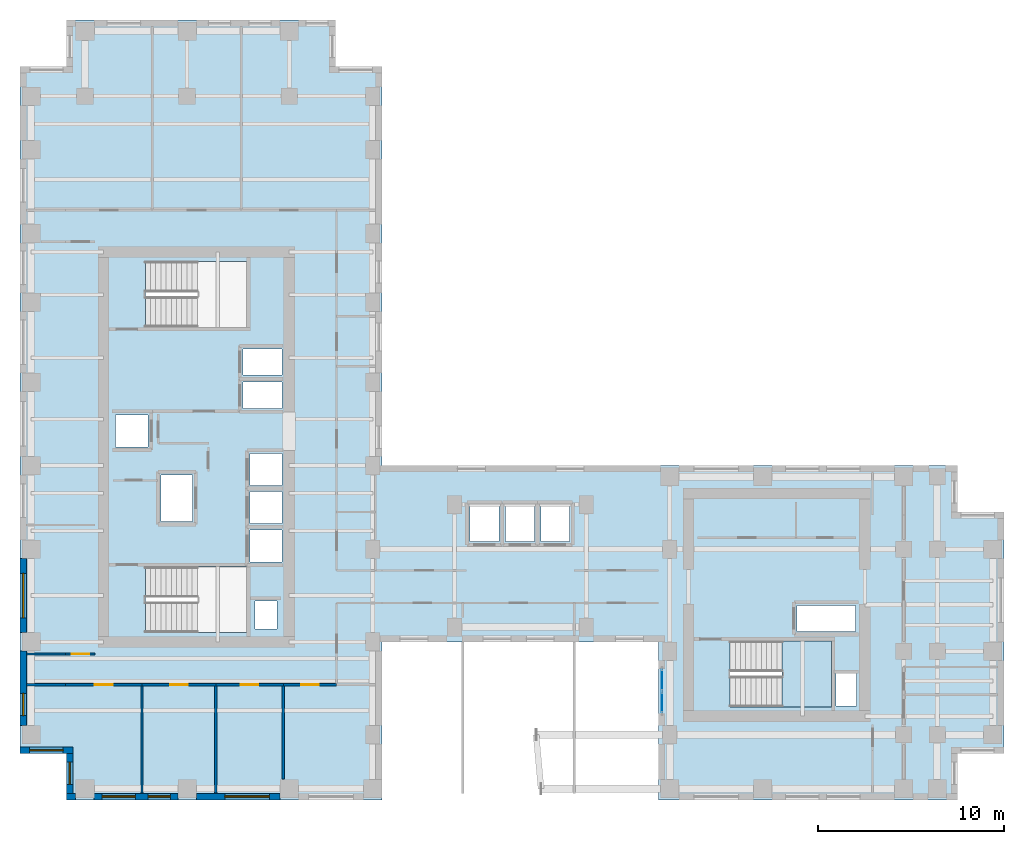
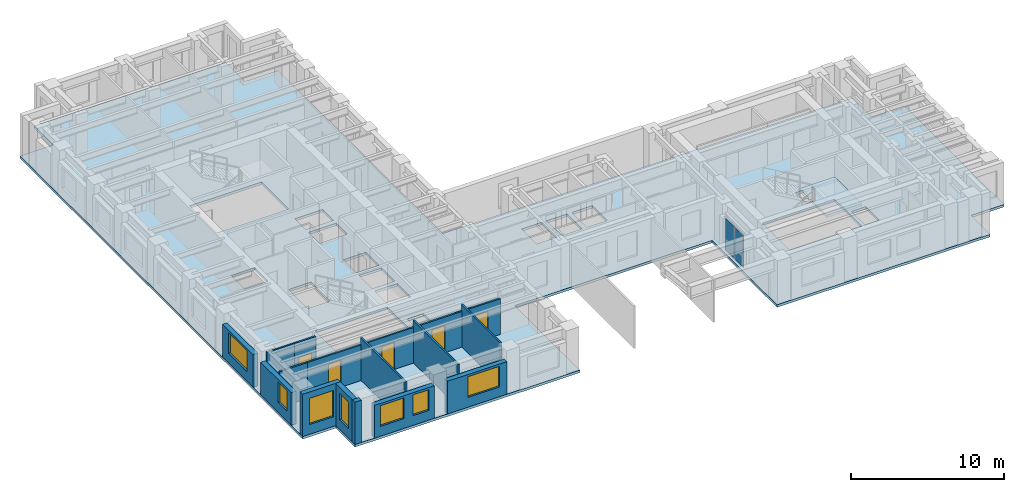
# One storey, part 5 of 13: 17 walls, 7 windows, 5 doors, 2 plates, 2 slabs, 12 openings, 2 elements without a shape of their own.
"""IFC4 building model written with IfcOpenShell, lengths in metres."""

import ifcopenshell
import ifcopenshell.guid

model = None  # the IFC model being written
_history = None  # IfcOwnerHistory: only IFC2X3 demands one
_inside = {}  # id of a spatial element -> (the spatial element, [elements in it])
_under = {}  # id of a project, library or spatial element -> (it, [spatial elements below it])
_declared = {}  # id of a project -> (the project, [libraries it declares])
_typed = {}  # id of a type object -> (the type object, [elements of that type])
_made_of = {}  # id of a material, layer set ... -> (it, [elements and type objects made of it])


def new_model(schema):
    """Start an empty IFC model of exactly this schema.

    Asked for "IFC4X3", IfcOpenShell would pick the latest addendum, in which some entities
    have other attributes; the version numbers below select the first issue.
    IFC2X3 requires an IfcOwnerHistory on every rooted entity: one is made here for all.
    """
    global model, _history
    if schema == "IFC4X3":
        model = ifcopenshell.file(schema_version=(4, 3, 0, 0))
    else:
        model = ifcopenshell.file(schema=schema)
    _inside.clear()
    _under.clear()
    _declared.clear()
    _typed.clear()
    _made_of.clear()
    _history = None
    if model.schema == "IFC2X3":
        org = make("IfcOrganization", Name="unknown")
        user = make(
            "IfcPersonAndOrganization",
            ThePerson=make("IfcPerson", FamilyName="unknown"),
            TheOrganization=org,
        )
        app = make(
            "IfcApplication",
            ApplicationDeveloper=org,
            Version="unknown",
            ApplicationFullName="unknown",
            ApplicationIdentifier="unknown",
        )
        _history = make(
            "IfcOwnerHistory",
            OwningUser=user,
            OwningApplication=app,
            ChangeAction="ADDED",
            CreationDate=0,
        )
    return model


def make(cls, **values):
    """One entity of the class cls with the attributes given. An attribute that is None is left unset."""
    return model.create_entity(
        cls, **{name: value for name, value in values.items() if value is not None}
    )


def rooted(cls, **values):
    """An entity with a GlobalId (a new one), such as an element, a storey or a relation."""
    return make(cls, GlobalId=ifcopenshell.guid.new(), OwnerHistory=_history, **values)


def si_unit(unit_type, name, prefix=None):
    """IfcSIUnit, for example si_unit("LENGTHUNIT", "METRE", prefix="MILLI")."""
    return make("IfcSIUnit", UnitType=unit_type, Prefix=prefix, Name=name)


def assignment(units):
    """IfcUnitAssignment: the units of a project."""
    return None if units is None else make("IfcUnitAssignment", Units=units)


def point(xyz):
    """IfcCartesianPoint."""
    return None if xyz is None else make("IfcCartesianPoint", Coordinates=xyz)


def direction(xyz):
    """IfcDirection."""
    return None if xyz is None else make("IfcDirection", DirectionRatios=xyz)


def frame(location, z_axis=None, x_axis=None):
    """IfcAxis2Placement3D, a coordinate frame: its origin and axes. An axis left out is left unset."""
    return make(
        "IfcAxis2Placement3D",
        Location=point(location),
        Axis=direction(z_axis),
        RefDirection=direction(x_axis),
    )


def frame_2d(location, x_axis=None):
    """IfcAxis2Placement2D, a coordinate frame in the plane: its origin and x axis."""
    return make(
        "IfcAxis2Placement2D", Location=point(location), RefDirection=direction(x_axis)
    )


def origin():
    """The frame at (0, 0, 0) with its axes left unset."""
    return frame((0.0, 0.0, 0.0))


def origin_2d():
    """The frame at (0, 0) in the plane with its x axis left unset."""
    return frame_2d((0.0, 0.0))


def place(relative_to, where):
    """IfcLocalPlacement: puts the frame where relative to a parent placement (None: the world)."""
    return make(
        "IfcLocalPlacement", PlacementRelTo=relative_to, RelativePlacement=where
    )


def context(
    kind, dimensions, precision=None, world=None, true_north=None, identifier=None
):
    """IfcGeometricRepresentationContext, for example the 3D "Model" context."""
    return make(
        "IfcGeometricRepresentationContext",
        ContextIdentifier=identifier,
        ContextType=kind,
        CoordinateSpaceDimension=dimensions,
        Precision=precision,
        WorldCoordinateSystem=world,
        TrueNorth=true_north,
    )


def subcontext(parent, identifier, kind, view, scale=None):
    """IfcGeometricRepresentationSubContext, for example "Body" below "Model"."""
    return make(
        "IfcGeometricRepresentationSubContext",
        ContextIdentifier=identifier,
        ContextType=kind,
        ParentContext=parent,
        TargetScale=scale,
        TargetView=view,
    )


def project(units=None, contexts=None):
    """IfcProject with its units and contexts."""
    return rooted(
        "IfcProject",
        Name="project",
        RepresentationContexts=contexts,
        UnitsInContext=assignment(units),
    )


def spatial(cls, under=None, at=None, **own):
    """A site, building, storey or space (cls), placed at a placement, below another one or the project."""
    s = rooted(cls, ObjectPlacement=at, **own)
    if under is not None:
        _under.setdefault(under.id(), (under, []))[1].append(s)
    return s


def polyline(points):
    """IfcPolyline through the points."""
    return make("IfcPolyline", Points=[point(p) for p in points])


def profile(cls, at=None, kind="AREA", **sizes):
    """A parametric profile (cls). Its sizes go by their IFC names, for example OverallWidth=200.0."""
    return make(cls, ProfileType=kind, Position=at, **sizes)


def rectangle(**sizes):
    """IfcRectangleProfileDef."""
    return profile("IfcRectangleProfileDef", **sizes)


def outline(outer, holes=None, kind="AREA"):
    """IfcArbitraryClosedProfileDef: a profile drawn as a closed curve; with holes, ...WithVoids."""
    if holes is None:
        return make("IfcArbitraryClosedProfileDef", ProfileType=kind, OuterCurve=outer)
    return make(
        "IfcArbitraryProfileDefWithVoids",
        ProfileType=kind,
        OuterCurve=outer,
        InnerCurves=holes,
    )


def extrude(swept, where, along, depth):
    """IfcExtrudedAreaSolid: the profile swept, set in the frame where, extruded along a direction by depth."""
    return make(
        "IfcExtrudedAreaSolid",
        SweptArea=swept,
        Position=where,
        ExtrudedDirection=direction(along),
        Depth=depth,
    )


def shape(context_of_items, identifier, shape_type, items):
    """IfcShapeRepresentation: the items that make up one representation, for example the "Body"."""
    return make(
        "IfcShapeRepresentation",
        ContextOfItems=context_of_items,
        RepresentationIdentifier=identifier,
        RepresentationType=shape_type,
        Items=items,
    )


def source(mapping_origin, context_of_items, identifier, shape_type, items):
    """IfcRepresentationMap: a shape defined once, which mapped items show again and again."""
    return make(
        "IfcRepresentationMap",
        MappingOrigin=mapping_origin,
        MappedRepresentation=shape(context_of_items, identifier, shape_type, items),
    )


def transform(
    local_origin,
    x_axis=None,
    y_axis=None,
    z_axis=None,
    scale=None,
    scale2=None,
    scale3=None,
    uniform=True,
):
    """IfcCartesianTransformationOperator3D, or its non-uniform kind. x_axis, y_axis, z_axis: its Axis1, 2, 3."""
    if uniform:
        return make(
            "IfcCartesianTransformationOperator3D",
            Axis1=direction(x_axis),
            Axis2=direction(y_axis),
            LocalOrigin=point(local_origin),
            Scale=scale,
            Axis3=direction(z_axis),
        )
    return make(
        "IfcCartesianTransformationOperator3DnonUniform",
        Axis1=direction(x_axis),
        Axis2=direction(y_axis),
        LocalOrigin=point(local_origin),
        Scale=scale,
        Axis3=direction(z_axis),
        Scale2=scale2,
        Scale3=scale3,
    )


def mapped(mapping_source, mapping_target):
    """IfcMappedItem: shows the shape of a source again, moved by a transform."""
    return make(
        "IfcMappedItem", MappingSource=mapping_source, MappingTarget=mapping_target
    )


def material(Name=None, Category=None):
    """IfcMaterial."""
    return make("IfcMaterial", Name=Name, Category=Category)


def layer(
    of_material, thickness, ventilated=None, Name=None, Category=None, Priority=None
):
    """IfcMaterialLayer: one layer of a wall or slab, of a material (None: an air gap)."""
    return make(
        "IfcMaterialLayer",
        Material=of_material,
        LayerThickness=thickness,
        IsVentilated=ventilated,
        Name=Name,
        Category=Category,
        Priority=Priority,
    )


def layer_set(layers, Name=None):
    """IfcMaterialLayerSet."""
    return make("IfcMaterialLayerSet", MaterialLayers=layers, LayerSetName=Name)


def made_of(thing, what):
    """Note that an element or type object is made of a material, layer set ...; save() writes the relation."""
    if what is not None:
        _made_of.setdefault(what.id(), (what, []))[1].append(thing)
    return thing


def type_object(cls, material=None, **own):
    """A type object (cls), such as IfcWallType, which elements share."""
    return made_of(rooted(cls, **own), material)


def element(
    cls,
    number,
    at=None,
    inside=None,
    cuts=None,
    type_object=None,
    material=None,
    context=None,
    identifier="Body",
    shape_type=None,
    held_by="IfcProductDefinitionShape",
    body=None,
    shapes=None,
    **own,
):
    """One element of the class cls, such as IfcWall. Its Tag is "e" and its number.

    at: its placement. inside: the storey or other place that contains it. cuts: it is an
    opening in that element (IfcRelVoidsElement). A single representation is given by context,
    identifier, shape_type and body (its items); several are given by shapes. held_by: the class
    of the entity that holds the representations. save() writes the other relations.
    """
    e = rooted(cls, Tag="e%d" % number, ObjectPlacement=at, **own)
    if body is not None:
        shapes = [shape(context, identifier, shape_type, body)]
    if shapes is not None:
        e.Representation = make(held_by, Representations=shapes)
    if inside is not None:
        _inside.setdefault(inside.id(), (inside, []))[1].append(e)
    if cuts is not None:
        rooted(
            "IfcRelVoidsElement", RelatingBuildingElement=cuts, RelatedOpeningElement=e
        )
    if type_object is not None:
        _typed.setdefault(type_object.id(), (type_object, []))[1].append(e)
    return made_of(e, material)


def fill(opening, filler):
    """IfcRelFillsElement: the door or window that sits in an opening."""
    return rooted(
        "IfcRelFillsElement",
        RelatingOpeningElement=opening,
        RelatedBuildingElement=filler,
    )


def aggregate(whole, parts):
    """IfcRelAggregates: a whole, such as a stair, and the parts it consists of."""
    return rooted("IfcRelAggregates", RelatingObject=whole, RelatedObjects=parts)


def save(model, path):
    """Write the relations noted so far, then the file.

    IfcRelAggregates (storeys below a building ...), IfcRelContainedInSpatialStructure (elements
    in a storey), IfcRelDefinesByType, IfcRelAssociatesMaterial and IfcRelDeclares: one each for
    every whole, place, type object, material and project.
    """
    for whole, parts in _under.values():
        aggregate(whole, parts)
    for where, things in _inside.values():
        rooted(
            "IfcRelContainedInSpatialStructure",
            RelatedElements=things,
            RelatingStructure=where,
        )
    for kind, things in _typed.values():
        rooted("IfcRelDefinesByType", RelatedObjects=things, RelatingType=kind)
    for what, things in _made_of.values():
        rooted("IfcRelAssociatesMaterial", RelatedObjects=things, RelatingMaterial=what)
    for by, libraries in _declared.values():
        rooted("IfcRelDeclares", RelatingContext=by, RelatedDefinitions=libraries)
    model.write(path)


model = new_model("IFC4")

# Units and contexts
model_context = context("Model", 3, precision=1e-05, world=origin(), true_north=direction((0.0, 1.0)))
body_context = subcontext(model_context, "Body", "Model", "MODEL_VIEW")
ifc_project = project(units=[si_unit("LENGTHUNIT", "METRE"), si_unit("AREAUNIT", "SQUARE_METRE"), si_unit("VOLUMEUNIT", "CUBIC_METRE"), si_unit("PLANEANGLEUNIT", "RADIAN"), si_unit("MASSUNIT", "GRAM", prefix="KILO")], contexts=[model_context])

# Site, building, storey
site_placement = place(None, origin())
site = spatial("IfcSite", under=ifc_project, at=site_placement, CompositionType="ELEMENT")
building_placement = place(site_placement, origin())
building = spatial("IfcBuilding", under=site, at=building_placement, Name="Kharzan Plaza Tower", CompositionType="ELEMENT")
storey_placement = place(building_placement, frame((0.0, 0.0, 175.5)))
storey = spatial("IfcBuildingStorey", under=building, at=storey_placement, Name="L47", CompositionType="ELEMENT", Elevation=175.5)

# Slab
ifc_material_1 = material(Name="Concrete C40/50", Category="concrete")
ifc_layer_1 = layer(ifc_material_1, 0.199951171875)
ifc_layer_set_1 = layer_set([ifc_layer_1], Name="Concrete C40/50")
slab_type_1 = type_object("IfcSlabType", Name="SL-FLOOR-200", PredefinedType="FLOOR", material=ifc_layer_set_1)
slab_1_placement = place(storey_placement, frame((0.0, 0.0, -0.199951171875)))
element("IfcSlab", 1, at=slab_1_placement, inside=storey, type_object=slab_type_1, Name="L47 Composite Structural Floor Slab 200 mm", PredefinedType="FLOOR", context=body_context, shape_type="SweptSolid", body=[
    extrude(outline(polyline([(34.39990234375, 18.0), (19.5, 18.0), (19.5, 39.5), (17.0, 39.5), (17.0, 42.0), (2.5, 42.0), (2.5, 39.5), (0.0, 39.5), (0.0, 2.5), (2.5, 2.5), (2.5, 0.0), (19.5, 0.0), (19.5, 8.5), (34.39990234375, 8.5), (34.39990234375, 0.0), (50.5, 0.0), (50.5, 2.5), (53.0, 2.5), (53.0, 15.5), (50.5, 15.5), (50.5, 18.0), (34.39990234375, 18.0)]), holes=[polyline([(12.199951171875, 9.0), (12.199951171875, 12.550048828125), (6.75, 12.550048828125), (6.75, 9.0), (12.199951171875, 9.0)]), polyline([(14.10009765625, 12.800048828125), (14.10009765625, 14.530029296875), (12.39990234375, 14.530029296875), (12.39990234375, 12.800048828125), (14.10009765625, 12.800048828125)]), polyline([(14.10009765625, 14.8701171875), (14.10009765625, 16.60009765625), (12.39990234375, 16.60009765625), (12.39990234375, 14.8701171875), (14.10009765625, 14.8701171875)]), polyline([(9.300048828125, 15.0), (9.300048828125, 17.5), (7.60009765625, 17.5), (7.60009765625, 15.0), (9.300048828125, 15.0)]), polyline([(6.89990234375, 19.010009765625), (6.89990234375, 20.72998046875), (5.14990234375, 20.72998046875), (5.14990234375, 19.010009765625), (6.89990234375, 19.010009765625)]), polyline([(14.10009765625, 21.070068359375), (14.10009765625, 22.489990234375), (12.0, 22.489990234375), (12.0, 21.070068359375), (14.10009765625, 21.070068359375)]), polyline([(14.10009765625, 22.8701171875), (14.10009765625, 24.2900390625), (12.0, 24.2900390625), (12.0, 22.8701171875), (14.10009765625, 22.8701171875)]), polyline([(12.199951171875, 25.449951171875), (12.199951171875, 29.0), (6.75, 29.0), (6.75, 25.449951171875), (12.199951171875, 25.449951171875)]), polyline([(45.050048828125, 5.050048828125), (45.050048828125, 6.800048828125), (43.949951171875, 6.800048828125), (43.949951171875, 5.050048828125), (45.050048828125, 5.050048828125)]), polyline([(43.699951171875, 5.0), (43.699951171875, 8.550048828125), (38.25, 8.550048828125), (38.25, 5.0), (43.699951171875, 5.0)]), polyline([(45.0, 9.070068359375), (45.0, 10.469970703125), (41.85009765625, 10.469970703125), (41.85009765625, 9.070068359375), (45.0, 9.070068359375)]), polyline([(13.85009765625, 9.199951171875), (13.85009765625, 10.699951171875), (12.64990234375, 10.699951171875), (12.64990234375, 9.199951171875), (13.85009765625, 9.199951171875)]), polyline([(25.800048828125, 13.89990234375), (25.800048828125, 15.85009765625), (24.25, 15.85009765625), (24.25, 13.89990234375), (25.800048828125, 13.89990234375)]), polyline([(27.699951171875, 13.89990234375), (27.699951171875, 15.85009765625), (26.14990234375, 15.85009765625), (26.14990234375, 13.89990234375), (27.699951171875, 13.89990234375)]), polyline([(29.60009765625, 13.89990234375), (29.60009765625, 15.85009765625), (28.050048828125, 15.85009765625), (28.050048828125, 13.89990234375), (29.60009765625, 13.89990234375)]), polyline([(14.10009765625, 16.93994140625), (14.10009765625, 18.64990234375), (12.39990234375, 18.64990234375), (12.39990234375, 16.93994140625), (14.10009765625, 16.93994140625)])]), origin(), (0.0, 0.0, 1.0), 0.199951171875),
])

# Stair, slab
stair_type = type_object("IfcStairType", Name="STR-ST-3", PredefinedType="HALF_TURN_STAIR", material=ifc_material_1)
stair_placement = place(storey_placement, origin())
stair = element("IfcStair", 2, at=stair_placement, inside=storey, type_object=stair_type, Name="L47 Protected Exit Stair ST-3", PredefinedType="HALF_TURN_STAIR")
ifc_layer_2 = layer(ifc_material_1, 0.219970703125)
ifc_layer_set_2 = layer_set([ifc_layer_2], Name="Concrete C40/50")
slab_type_2 = type_object("IfcSlabType", Name="SL-LANDING-220", PredefinedType="LANDING", material=ifc_layer_set_2)
slab_2_placement = place(storey_placement, frame((0.0, 0.0, 1.60009765625)))
slab_2 = element("IfcSlab", 3, at=slab_2_placement, type_object=slab_type_2, Name="ST-3 landing 1", PredefinedType="LANDING", context=body_context, shape_type="SweptSolid", body=[
    extrude(outline(polyline([(41.050048828125, 5.0), (43.699951171875, 5.0), (43.699951171875, 8.550048828125), (41.050048828125, 8.550048828125), (41.050048828125, 5.0)])), origin(), (0.0, 0.0, 1.0), 0.199951171875),
])
aggregate(stair, [slab_2])

# Curtain wall, plates
ifc_material_2 = material(Name="Unitised Bronze-Anodized Aluminium and Low-E Glass", Category="aluminium")
ifc_layer_3 = layer(ifc_material_2, 0.199951171875)
ifc_layer_set_3 = layer_set([ifc_layer_3], Name="Unitised Bronze-Anodized Aluminium and Low-E Glass")
curtain_wall_type = type_object("IfcCurtainWallType", Name="CW-SLOT-3", PredefinedType="NOTDEFINED", material=ifc_layer_set_3)
curtain_wall_placement = place(storey_placement, origin())
curtain_wall = element("IfcCurtainWall", 4, at=curtain_wall_placement, inside=storey, type_object=curtain_wall_type, Name="L47 East Slot Recessed Spine Curtain Wall", PredefinedType="NOTDEFINED")
ifc_material_3 = material(Name="Dark Solar-Control Double Glazing", Category="glass")
ifc_layer_4 = layer(ifc_material_3, 0.031982421875)
ifc_layer_set_4 = layer_set([ifc_layer_4], Name="Dark Solar-Control Double Glazing")
plate_type = type_object("IfcPlateType", Name="PLT-CW-GLASS", PredefinedType="CURTAIN_PANEL", material=ifc_layer_set_4)
shared_shape_1 = source(origin(), body_context, "Body", "SweptSolid", [
    extrude(rectangle(XDim=1.080078125, YDim=0.031982421875, at=origin_2d()), origin(), (0.0, 0.0, 1.0), 2.5400390625),
])
plate_1_placement = place(storey_placement, frame((34.580078125, 5.25, 0.080078125), z_axis=(0.0, 0.0, 1.0), x_axis=(0.0, 1.0, 0.0)))
plate_1 = element("IfcPlate", 5, at=plate_1_placement, type_object=plate_type, Name="L47 Curtain-Wall Glazed Panel 00", PredefinedType="CURTAIN_PANEL", context=body_context, shape_type="MappedRepresentation", body=[
    mapped(shared_shape_1, transform((0.0, 0.0, 0.0), x_axis=(1.0, 0.0, 0.0), y_axis=(0.0, 1.0, 0.0), z_axis=(0.0, 0.0, 1.0))),
])
plate_2_placement = place(storey_placement, frame((34.580078125, 6.449951171875, 0.080078125), z_axis=(0.0, 0.0, 1.0), x_axis=(0.0, 1.0, 0.0)))
plate_2 = element("IfcPlate", 6, at=plate_2_placement, type_object=plate_type, Name="L47 Curtain-Wall Glazed Panel 01", PredefinedType="CURTAIN_PANEL", context=body_context, shape_type="MappedRepresentation", body=[
    mapped(shared_shape_1, transform((0.0, 0.0, 0.0), x_axis=(1.0, 0.0, 0.0), y_axis=(0.0, 1.0, 0.0), z_axis=(0.0, 0.0, 1.0))),
])
aggregate(curtain_wall, [plate_1, plate_2])

# Wall, opening, window
ifc_layer_5 = layer(ifc_material_1, 0.35009765625)
ifc_layer_set_5 = layer_set([ifc_layer_5], Name="Concrete C40/50")
wall_type_1 = type_object("IfcWallType", Name="WL-EXT-MAS-Z3", PredefinedType="SOLIDWALL", material=ifc_layer_set_5)
wall_1_placement = place(storey_placement, frame((0.175048828125, 13.001953125, 0.0), z_axis=(0.0, 0.0, 1.0), x_axis=(0.0, -1.0, 0.0)))
wall_1 = element("IfcWall", 7, at=wall_1_placement, inside=storey, type_object=wall_type_1, Name="L47 Masonry-Frame Exterior Wall 16", PredefinedType="SOLIDWALL", context=body_context, shape_type="SweptSolid", body=[
    extrude(rectangle(XDim=4.00390625, YDim=0.35009765625, at=frame_2d((2.001953125, 0.0))), origin(), (0.0, 0.0, 1.0), 2.612060546875),
])
opening_1_placement = place(wall_1_placement, frame((0.802001953125, 0.0, 0.780029296875)))
opening_1 = element("IfcOpeningElement", 8, at=opening_1_placement, cuts=wall_1, Name="Opening W2", PredefinedType="OPENING", context=body_context, shape_type="SweptSolid", body=[
    extrude(rectangle(XDim=2.39990234375, YDim=1.652099609375, at=frame_2d((1.199951171875, 0.826171875))), frame((0.0, 0.18505859375, 0.0), z_axis=(0.0, -1.0, 0.0), x_axis=(1.0, 0.0, 0.0)), (0.0, 0.0, 1.0), 0.3701171875),
])
ifc_material_4 = material(Name="Low-E Double Glazing", Category="glass")
window_type_1 = type_object("IfcWindowType", Name="WN-REC-2400x2100", PartitioningType="SINGLE_PANEL", PredefinedType="WINDOW", material=ifc_material_4)
shared_shape_2 = source(origin(), body_context, "Body", "SweptSolid", [
    extrude(rectangle(XDim=2.39990234375, YDim=1.652099609375, at=frame_2d((1.199951171875, 0.826171875))), frame((0.0, 0.030029296875, 0.0), z_axis=(0.0, -1.0, 0.0), x_axis=(1.0, 0.0, 0.0)), (0.0, 0.0, 1.0), 0.06005859375),
])
window_1_placement = place(opening_1_placement, origin())
window_1 = element("IfcWindow", 9, at=window_1_placement, inside=storey, type_object=window_type_1, Name="L47 Wide Recessed Solar-Control Window 16-1", OverallHeight=1.652099609375, OverallWidth=2.39990234375, PartitioningType="SINGLE_PANEL", PredefinedType="WINDOW", context=body_context, shape_type="MappedRepresentation", body=[
    mapped(shared_shape_2, transform((0.0, 0.0, 0.0), x_axis=(1.0, 0.0, 0.0), y_axis=(0.0, 1.0, 0.0), z_axis=(0.0, 0.0, 1.0))),
])
fill(opening_1, window_1)

wall_2_placement = place(storey_placement, frame((0.175048828125, 8.001953125, 0.0), z_axis=(0.0, 0.0, 1.0), x_axis=(0.0, -1.0, 0.0)))
wall_2 = element("IfcWall", 10, at=wall_2_placement, inside=storey, type_object=wall_type_1, Name="L47 Masonry-Frame Exterior Wall 17", PredefinedType="SOLIDWALL", context=body_context, shape_type="SweptSolid", body=[
    extrude(rectangle(XDim=4.00390625, YDim=0.35009765625, at=frame_2d((2.001953125, 0.0))), origin(), (0.0, 0.0, 1.0), 2.612060546875),
])
opening_2_placement = place(wall_2_placement, frame((2.26806640625, 0.0, 0.780029296875)))
opening_2 = element("IfcOpeningElement", 11, at=opening_2_placement, cuts=wall_2, Name="Opening W3", PredefinedType="OPENING", context=body_context, shape_type="SweptSolid", body=[
    extrude(rectangle(XDim=1.199951171875, YDim=1.652099609375, at=frame_2d((0.60009765625, 0.826171875))), frame((0.0, 0.18505859375, 0.0), z_axis=(0.0, -1.0, 0.0), x_axis=(1.0, 0.0, 0.0)), (0.0, 0.0, 1.0), 0.3701171875),
])
window_type_2 = type_object("IfcWindowType", Name="WN-REC-1200x2100", PartitioningType="SINGLE_PANEL", PredefinedType="WINDOW", material=ifc_material_4)
shared_shape_3 = source(origin(), body_context, "Body", "SweptSolid", [
    extrude(rectangle(XDim=1.199951171875, YDim=1.652099609375, at=frame_2d((0.60009765625, 0.826171875))), frame((0.0, 0.030029296875, 0.0), z_axis=(0.0, -1.0, 0.0), x_axis=(1.0, 0.0, 0.0)), (0.0, 0.0, 1.0), 0.06005859375),
])
window_2_placement = place(opening_2_placement, origin())
window_2 = element("IfcWindow", 12, at=window_2_placement, inside=storey, type_object=window_type_2, Name="L47 Recessed Solar-Control Window 17-1", OverallHeight=1.652099609375, OverallWidth=1.199951171875, PartitioningType="SINGLE_PANEL", PredefinedType="WINDOW", context=body_context, shape_type="MappedRepresentation", body=[
    mapped(shared_shape_3, transform((0.0, 0.0, 0.0), x_axis=(1.0, 0.0, 0.0), y_axis=(0.0, 1.0, 0.0), z_axis=(0.0, 0.0, 1.0))),
])
fill(opening_2, window_2)

wall_3_placement = place(storey_placement, frame((0.0, 2.675048828125, 0.0), z_axis=(0.0, 0.0, 1.0), x_axis=(1.0, 0.0, 0.0)))
wall_3 = element("IfcWall", 13, at=wall_3_placement, inside=storey, type_object=wall_type_1, Name="L47 Masonry-Frame Exterior Wall 18", PredefinedType="SOLIDWALL", context=body_context, shape_type="SweptSolid", body=[
    extrude(rectangle(XDim=2.85009765625, YDim=0.35009765625, at=frame_2d((1.425048828125, 0.0))), origin(), (0.0, 0.0, 1.0), 3.385009765625),
])
opening_3_placement = place(wall_3_placement, frame((0.52490234375, 0.0, 0.780029296875)))
opening_3 = element("IfcOpeningElement", 14, at=opening_3_placement, cuts=wall_3, Name="Opening W1", PredefinedType="OPENING", context=body_context, shape_type="SweptSolid", body=[
    extrude(rectangle(XDim=1.800048828125, YDim=2.10009765625, at=frame_2d((0.89990234375, 1.050048828125))), frame((0.0, 0.18505859375, 0.0), z_axis=(0.0, -1.0, 0.0), x_axis=(1.0, 0.0, 0.0)), (0.0, 0.0, 1.0), 0.3701171875),
])
window_type_3 = type_object("IfcWindowType", Name="WN-REC-1800x2100", PartitioningType="SINGLE_PANEL", PredefinedType="WINDOW", material=ifc_material_4)
shared_shape_4 = source(origin(), body_context, "Body", "SweptSolid", [
    extrude(rectangle(XDim=1.800048828125, YDim=2.10009765625, at=frame_2d((0.89990234375, 1.050048828125))), frame((0.0, 0.030029296875, 0.0), z_axis=(0.0, -1.0, 0.0), x_axis=(1.0, 0.0, 0.0)), (0.0, 0.0, 1.0), 0.06005859375),
])
window_3_placement = place(opening_3_placement, origin())
window_3 = element("IfcWindow", 15, at=window_3_placement, inside=storey, type_object=window_type_3, Name="L47 Recessed Solar-Control Window 18-1", OverallHeight=2.10009765625, OverallWidth=1.800048828125, PartitioningType="SINGLE_PANEL", PredefinedType="WINDOW", context=body_context, shape_type="MappedRepresentation", body=[
    mapped(shared_shape_4, transform((0.0, 0.0, 0.0), x_axis=(1.0, 0.0, 0.0), y_axis=(0.0, 1.0, 0.0), z_axis=(0.0, 0.0, 1.0))),
])
fill(opening_3, window_3)

wall_4_placement = place(storey_placement, frame((2.675048828125, 2.501953125, 0.0), z_axis=(0.0, 0.0, 1.0), x_axis=(0.0, -1.0, 0.0)))
wall_4 = element("IfcWall", 16, at=wall_4_placement, inside=storey, type_object=wall_type_1, Name="L47 Masonry-Frame Exterior Wall 19", PredefinedType="SOLIDWALL", context=body_context, shape_type="SweptSolid", body=[
    extrude(rectangle(XDim=2.154052734375, YDim=0.35009765625, at=frame_2d((1.0771484375, 0.0))), origin(), (0.0, 0.0, 1.0), 3.385009765625),
])
opening_4_placement = place(wall_4_placement, frame((0.47705078125, 0.0, 0.780029296875)))
opening_4 = element("IfcOpeningElement", 17, at=opening_4_placement, cuts=wall_4, Name="Opening W3", PredefinedType="OPENING", context=body_context, shape_type="SweptSolid", body=[
    extrude(rectangle(XDim=1.199951171875, YDim=2.10009765625, at=frame_2d((0.60009765625, 1.050048828125))), frame((0.0, 0.18505859375, 0.0), z_axis=(0.0, -1.0, 0.0), x_axis=(1.0, 0.0, 0.0)), (0.0, 0.0, 1.0), 0.3701171875),
])
shared_shape_5 = source(origin(), body_context, "Body", "SweptSolid", [
    extrude(rectangle(XDim=1.199951171875, YDim=2.10009765625, at=frame_2d((0.60009765625, 1.050048828125))), frame((0.0, 0.030029296875, 0.0), z_axis=(0.0, -1.0, 0.0), x_axis=(1.0, 0.0, 0.0)), (0.0, 0.0, 1.0), 0.06005859375),
])
window_4_placement = place(opening_4_placement, origin())
window_4 = element("IfcWindow", 18, at=window_4_placement, inside=storey, type_object=window_type_2, Name="L47 Recessed Solar-Control Window 19-1", OverallHeight=2.10009765625, OverallWidth=1.199951171875, PartitioningType="SINGLE_PANEL", PredefinedType="WINDOW", context=body_context, shape_type="MappedRepresentation", body=[
    mapped(shared_shape_5, transform((0.0, 0.0, 0.0), x_axis=(1.0, 0.0, 0.0), y_axis=(0.0, 1.0, 0.0), z_axis=(0.0, 0.0, 1.0))),
])
fill(opening_4, window_4)

# Wall, openings, windows
wall_5_placement = place(storey_placement, frame((3.998046875, 0.175048828125, 0.0), z_axis=(0.0, 0.0, 1.0), x_axis=(1.0, 0.0, 0.0)))
wall_5 = element("IfcWall", 19, at=wall_5_placement, inside=storey, type_object=wall_type_1, Name="L47 Masonry-Frame Exterior Wall 21", PredefinedType="SOLIDWALL", context=body_context, shape_type="SweptSolid", body=[
    extrude(rectangle(XDim=4.50390625, YDim=0.35009765625, at=frame_2d((2.251953125, 0.0))), origin(), (0.0, 0.0, 1.0), 2.612060546875),
])
opening_5_placement = place(wall_5_placement, frame((0.422119140625, 0.0, 0.780029296875)))
opening_5 = element("IfcOpeningElement", 20, at=opening_5_placement, cuts=wall_5, Name="Opening W1", PredefinedType="OPENING", context=body_context, shape_type="SweptSolid", body=[
    extrude(rectangle(XDim=1.800048828125, YDim=1.652099609375, at=frame_2d((0.89990234375, 0.826171875))), frame((0.0, 0.18505859375, 0.0), z_axis=(0.0, -1.0, 0.0), x_axis=(1.0, 0.0, 0.0)), (0.0, 0.0, 1.0), 0.3701171875),
])
opening_6_placement = place(wall_5_placement, frame((2.904052734375, 0.0, 0.780029296875)))
opening_6 = element("IfcOpeningElement", 21, at=opening_6_placement, cuts=wall_5, Name="Opening W3", PredefinedType="OPENING", context=body_context, shape_type="SweptSolid", body=[
    extrude(rectangle(XDim=1.199951171875, YDim=1.652099609375, at=frame_2d((0.60009765625, 0.826171875))), frame((0.0, 0.18505859375, 0.0), z_axis=(0.0, -1.0, 0.0), x_axis=(1.0, 0.0, 0.0)), (0.0, 0.0, 1.0), 0.3701171875),
])
shared_shape_6 = source(origin(), body_context, "Body", "SweptSolid", [
    extrude(rectangle(XDim=1.800048828125, YDim=1.652099609375, at=frame_2d((0.89990234375, 0.826171875))), frame((0.0, 0.030029296875, 0.0), z_axis=(0.0, -1.0, 0.0), x_axis=(1.0, 0.0, 0.0)), (0.0, 0.0, 1.0), 0.06005859375),
])
window_5_placement = place(opening_5_placement, origin())
window_5 = element("IfcWindow", 22, at=window_5_placement, inside=storey, type_object=window_type_3, Name="L47 Recessed Solar-Control Window 21-1", OverallHeight=1.652099609375, OverallWidth=1.800048828125, PartitioningType="SINGLE_PANEL", PredefinedType="WINDOW", context=body_context, shape_type="MappedRepresentation", body=[
    mapped(shared_shape_6, transform((0.0, 0.0, 0.0), x_axis=(1.0, 0.0, 0.0), y_axis=(0.0, 1.0, 0.0), z_axis=(0.0, 0.0, 1.0))),
])
fill(opening_5, window_5)
window_6_placement = place(opening_6_placement, origin())
window_6 = element("IfcWindow", 23, at=window_6_placement, inside=storey, type_object=window_type_2, Name="L47 Recessed Solar-Control Window 21-2", OverallHeight=1.652099609375, OverallWidth=1.199951171875, PartitioningType="SINGLE_PANEL", PredefinedType="WINDOW", context=body_context, shape_type="MappedRepresentation", body=[
    mapped(shared_shape_3, transform((0.0, 0.0, 0.0), x_axis=(1.0, 0.0, 0.0), y_axis=(0.0, 1.0, 0.0), z_axis=(0.0, 0.0, 1.0))),
])
fill(opening_6, window_6)

# Wall, opening, window
wall_6_placement = place(storey_placement, frame((9.498046875, 0.175048828125, 0.0), z_axis=(0.0, 0.0, 1.0), x_axis=(1.0, 0.0, 0.0)))
wall_6 = element("IfcWall", 24, at=wall_6_placement, inside=storey, type_object=wall_type_1, Name="L47 Masonry-Frame Exterior Wall 22", PredefinedType="SOLIDWALL", context=body_context, shape_type="SweptSolid", body=[
    extrude(rectangle(XDim=4.50390625, YDim=0.35009765625, at=frame_2d((2.251953125, 0.0))), origin(), (0.0, 0.0, 1.0), 2.612060546875),
])
opening_7_placement = place(wall_6_placement, frame((1.5400390625, 0.0, 0.780029296875)))
opening_7 = element("IfcOpeningElement", 25, at=opening_7_placement, cuts=wall_6, Name="Opening W2", PredefinedType="OPENING", context=body_context, shape_type="SweptSolid", body=[
    extrude(rectangle(XDim=2.39990234375, YDim=1.652099609375, at=frame_2d((1.199951171875, 0.826171875))), frame((0.0, 0.18505859375, 0.0), z_axis=(0.0, -1.0, 0.0), x_axis=(1.0, 0.0, 0.0)), (0.0, 0.0, 1.0), 0.3701171875),
])
window_7_placement = place(opening_7_placement, origin())
window_7 = element("IfcWindow", 26, at=window_7_placement, inside=storey, type_object=window_type_1, Name="L47 Wide Recessed Solar-Control Window 22-1", OverallHeight=1.652099609375, OverallWidth=2.39990234375, PartitioningType="SINGLE_PANEL", PredefinedType="WINDOW", context=body_context, shape_type="MappedRepresentation", body=[
    mapped(shared_shape_2, transform((0.0, 0.0, 0.0), x_axis=(1.0, 0.0, 0.0), y_axis=(0.0, 1.0, 0.0), z_axis=(0.0, 0.0, 1.0))),
])
fill(opening_7, window_7)

# Wall, opening, door
ifc_material_5 = material(Name="Fire-Rated Gypsum Board Partition", Category="gypsum")
ifc_layer_6 = layer(ifc_material_5, 0.125)
ifc_layer_set_6 = layer_set([ifc_layer_6], Name="Fire-Rated Gypsum Board Partition")
wall_type_2 = type_object("IfcWallType", Name="WL-INT-PART-125", PredefinedType="PARTITIONING", material=ifc_layer_set_6)
wall_7_placement = place(storey_placement, frame((2.449951171875, 7.85009765625, 0.0), z_axis=(0.0, 0.0, 1.0), x_axis=(1.0, 0.0, 0.0)))
wall_7 = element("IfcWall", 27, at=wall_7_placement, inside=storey, type_object=wall_type_2, Name="L47 Interior Partition SH-RWSD", PredefinedType="PARTITIONING", context=body_context, shape_type="SweptSolid", body=[
    extrude(rectangle(XDim=1.60009765625, YDim=0.125, at=frame_2d((0.800048828125, 0.0))), origin(), (0.0, 0.0, 1.0), 3.385009765625),
])
opening_8_placement = place(wall_7_placement, frame((0.324951171875, 0.0, 0.0)))
opening_8 = element("IfcOpeningElement", 28, at=opening_8_placement, cuts=wall_7, Name="Opening OD1", PredefinedType="OPENING", context=body_context, shape_type="SweptSolid", body=[
    extrude(rectangle(XDim=0.949951171875, YDim=2.14990234375, at=frame_2d((0.47509765625, 1.074951171875))), frame((0.0, 0.072509765625, 0.0), z_axis=(0.0, -1.0, 0.0), x_axis=(1.0, 0.0, 0.0)), (0.0, 0.0, 1.0), 0.14501953125),
])
ifc_material_6 = material(Name="Acoustic Solid-Core Stained Oak", Category="timber")
door_type = type_object("IfcDoorType", Name="DR-OFF-SINGLE", OperationType="NOTDEFINED", PredefinedType="DOOR", material=ifc_material_6)
shared_shape_7 = source(origin(), body_context, "Body", "SweptSolid", [
    extrude(rectangle(XDim=0.949951171875, YDim=2.14990234375, at=frame_2d((0.47509765625, 1.074951171875))), frame((0.0, 0.02490234375, 0.0), z_axis=(0.0, -1.0, 0.0), x_axis=(1.0, 0.0, 0.0)), (0.0, 0.0, 1.0), 0.050048828125),
])
door_1_placement = place(opening_8_placement, origin())
door_1 = element("IfcDoor", 29, at=door_1_placement, inside=storey, type_object=door_type, Name="L47 West Office 1 Door", OperationType="SINGLE_SWING_LEFT", OverallHeight=2.14990234375, OverallWidth=0.949951171875, PredefinedType="DOOR", context=body_context, shape_type="MappedRepresentation", body=[
    mapped(shared_shape_7, transform((0.0, 0.0, 0.0), x_axis=(1.0, 0.0, 0.0), y_axis=(0.0, 1.0, 0.0), z_axis=(0.0, 0.0, 1.0))),
])
fill(opening_8, door_1)

wall_8_placement = place(storey_placement, frame((2.449951171875, 6.199951171875, 0.0), z_axis=(0.0, 0.0, 1.0), x_axis=(1.0, 0.0, 0.0)))
wall_8 = element("IfcWall", 30, at=wall_8_placement, inside=storey, type_object=wall_type_2, Name="L47 Interior Partition SH-SS-1", PredefinedType="PARTITIONING", context=body_context, shape_type="SweptSolid", body=[
    extrude(rectangle(XDim=4.1220703125, YDim=0.125, at=frame_2d((2.06103515625, 0.0))), origin(), (0.0, 0.0, 1.0), 2.847900390625),
])
opening_9_placement = place(wall_8_placement, frame((1.5859375, 0.0, 0.0)))
opening_9 = element("IfcOpeningElement", 31, at=opening_9_placement, cuts=wall_8, Name="Opening OD1", PredefinedType="OPENING", context=body_context, shape_type="SweptSolid", body=[
    extrude(rectangle(XDim=0.949951171875, YDim=2.14990234375, at=frame_2d((0.47509765625, 1.074951171875))), frame((0.0, 0.072509765625, 0.0), z_axis=(0.0, -1.0, 0.0), x_axis=(1.0, 0.0, 0.0)), (0.0, 0.0, 1.0), 0.14501953125),
])
door_2_placement = place(opening_9_placement, origin())
door_2 = element("IfcDoor", 32, at=door_2_placement, inside=storey, type_object=door_type, Name="L47 Standards Compliance Office Door", OperationType="SINGLE_SWING_LEFT", OverallHeight=2.14990234375, OverallWidth=0.949951171875, PredefinedType="DOOR", context=body_context, shape_type="MappedRepresentation", body=[
    mapped(shared_shape_7, transform((0.0, 0.0, 0.0), x_axis=(1.0, 0.0, 0.0), y_axis=(0.0, 1.0, 0.0), z_axis=(0.0, 0.0, 1.0))),
])
fill(opening_9, door_2)

wall_9_placement = place(storey_placement, frame((6.572021484375, 6.199951171875, 0.0), z_axis=(0.0, 0.0, 1.0), x_axis=(1.0, 0.0, 0.0)))
wall_9 = element("IfcWall", 33, at=wall_9_placement, inside=storey, type_object=wall_type_2, Name="L47 Interior Partition SH-SS-2", PredefinedType="PARTITIONING", context=body_context, shape_type="SweptSolid", body=[
    extrude(rectangle(XDim=3.971923828125, YDim=0.125, at=frame_2d((1.98583984375, 0.0))), origin(), (0.0, 0.0, 1.0), 2.847900390625),
])
opening_10_placement = place(wall_9_placement, frame((1.510986328125, 0.0, 0.0)))
opening_10 = element("IfcOpeningElement", 34, at=opening_10_placement, cuts=wall_9, Name="Opening OD1", PredefinedType="OPENING", context=body_context, shape_type="SweptSolid", body=[
    extrude(rectangle(XDim=0.949951171875, YDim=2.14990234375, at=frame_2d((0.47509765625, 1.074951171875))), frame((0.0, 0.072509765625, 0.0), z_axis=(0.0, -1.0, 0.0), x_axis=(1.0, 0.0, 0.0)), (0.0, 0.0, 1.0), 0.14501953125),
])
door_3_placement = place(opening_10_placement, origin())
door_3 = element("IfcDoor", 35, at=door_3_placement, inside=storey, type_object=door_type, Name="L47 Architectural Design Studio Door", OperationType="SINGLE_SWING_RIGHT", OverallHeight=2.14990234375, OverallWidth=0.949951171875, PredefinedType="DOOR", context=body_context, shape_type="MappedRepresentation", body=[
    mapped(shared_shape_7, transform((0.0, 0.0, 0.0), x_axis=(1.0, 0.0, 0.0), y_axis=(0.0, 1.0, 0.0), z_axis=(0.0, 0.0, 1.0))),
])
fill(opening_10, door_3)

wall_10_placement = place(storey_placement, frame((10.5439453125, 6.199951171875, 0.0), z_axis=(0.0, 0.0, 1.0), x_axis=(1.0, 0.0, 0.0)))
wall_10 = element("IfcWall", 36, at=wall_10_placement, inside=storey, type_object=wall_type_2, Name="L47 Interior Partition SH-SS-3", PredefinedType="PARTITIONING", context=body_context, shape_type="SweptSolid", body=[
    extrude(rectangle(XDim=3.64111328125, YDim=0.125, at=frame_2d((1.820556640625, 0.0))), origin(), (0.0, 0.0, 1.0), 2.847900390625),
])
opening_11_placement = place(wall_10_placement, frame((1.345458984375, 0.0, 0.0)))
opening_11 = element("IfcOpeningElement", 37, at=opening_11_placement, cuts=wall_10, Name="Opening OD1", PredefinedType="OPENING", context=body_context, shape_type="SweptSolid", body=[
    extrude(rectangle(XDim=0.949951171875, YDim=2.14990234375, at=frame_2d((0.47509765625, 1.074951171875))), frame((0.0, 0.072509765625, 0.0), z_axis=(0.0, -1.0, 0.0), x_axis=(1.0, 0.0, 0.0)), (0.0, 0.0, 1.0), 0.14501953125),
])
door_4_placement = place(opening_11_placement, origin())
door_4 = element("IfcDoor", 38, at=door_4_placement, inside=storey, type_object=door_type, Name="L47 Architectural Design Studio Door", OperationType="SINGLE_SWING_LEFT", OverallHeight=2.14990234375, OverallWidth=0.949951171875, PredefinedType="DOOR", context=body_context, shape_type="MappedRepresentation", body=[
    mapped(shared_shape_7, transform((0.0, 0.0, 0.0), x_axis=(1.0, 0.0, 0.0), y_axis=(0.0, 1.0, 0.0), z_axis=(0.0, 0.0, 1.0))),
])
fill(opening_11, door_4)

wall_11_placement = place(storey_placement, frame((14.18505859375, 6.199951171875, 0.0), z_axis=(0.0, 0.0, 1.0), x_axis=(1.0, 0.0, 0.0)))
wall_11 = element("IfcWall", 39, at=wall_11_placement, inside=storey, type_object=wall_type_2, Name="L47 Interior Partition SH-SS-4", PredefinedType="PARTITIONING", context=body_context, shape_type="SweptSolid", body=[
    extrude(rectangle(XDim=2.864990234375, YDim=0.125, at=frame_2d((1.4326171875, 0.0))), origin(), (0.0, 0.0, 1.0), 2.847900390625),
])
opening_12_placement = place(wall_11_placement, frame((0.95751953125, 0.0, 0.0)))
opening_12 = element("IfcOpeningElement", 40, at=opening_12_placement, cuts=wall_11, Name="Opening OD1", PredefinedType="OPENING", context=body_context, shape_type="SweptSolid", body=[
    extrude(rectangle(XDim=0.949951171875, YDim=2.14990234375, at=frame_2d((0.47509765625, 1.074951171875))), frame((0.0, 0.072509765625, 0.0), z_axis=(0.0, -1.0, 0.0), x_axis=(1.0, 0.0, 0.0)), (0.0, 0.0, 1.0), 0.14501953125),
])
door_5_placement = place(opening_12_placement, origin())
door_5 = element("IfcDoor", 41, at=door_5_placement, inside=storey, type_object=door_type, Name="L47 Naval Engineering Studio Door", OperationType="SINGLE_SWING_RIGHT", OverallHeight=2.14990234375, OverallWidth=0.949951171875, PredefinedType="DOOR", context=body_context, shape_type="MappedRepresentation", body=[
    mapped(shared_shape_7, transform((0.0, 0.0, 0.0), x_axis=(1.0, 0.0, 0.0), y_axis=(0.0, 1.0, 0.0), z_axis=(0.0, 0.0, 1.0))),
])
fill(opening_12, door_5)

# Walls
shared_shape_8 = source(origin(), body_context, "Body", "SweptSolid", [
    extrude(rectangle(XDim=0.501953125, YDim=0.35009765625, at=frame_2d((0.2509765625, 0.0))), origin(), (0.0, 0.0, 1.0), 3.385009765625),
])
wall_12_placement = place(storey_placement, frame((2.5, 0.175048828125, 0.0), z_axis=(0.0, 0.0, 1.0), x_axis=(1.0, 0.0, 0.0)))
element("IfcWall", 42, at=wall_12_placement, inside=storey, type_object=wall_type_1, Name="L47 Masonry-Frame Exterior Wall 20", PredefinedType="SOLIDWALL", context=body_context, shape_type="MappedRepresentation", body=[
    mapped(shared_shape_8, transform((0.0, 0.0, 0.0), x_axis=(1.0, 0.0, 0.0), y_axis=(0.0, 1.0, 0.0), z_axis=(0.0, 0.0, 1.0))),
])
shared_shape_9 = source(origin(), body_context, "Body", "SweptSolid", [
    extrude(rectangle(XDim=2.097900390625, YDim=0.125, at=frame_2d((1.048828125, 0.0))), origin(), (0.0, 0.0, 1.0), 3.385009765625),
])
wall_13_placement = place(storey_placement, frame((0.35205078125, 7.85009765625, 0.0), z_axis=(0.0, 0.0, 1.0), x_axis=(1.0, 0.0, 0.0)))
element("IfcWall", 43, at=wall_13_placement, inside=storey, type_object=wall_type_2, Name="L47 Interior Partition SH-RWS0", PredefinedType="PARTITIONING", context=body_context, shape_type="MappedRepresentation", body=[
    mapped(shared_shape_9, transform((0.0, 0.0, 0.0), x_axis=(1.0, 0.0, 0.0), y_axis=(0.0, 1.0, 0.0), z_axis=(0.0, 0.0, 1.0))),
])
shared_shape_10 = source(origin(), body_context, "Body", "SweptSolid", [
    extrude(rectangle(XDim=2.097900390625, YDim=0.125, at=frame_2d((1.048828125, 0.0))), origin(), (0.0, 0.0, 1.0), 2.847900390625),
])
wall_14_placement = place(storey_placement, frame((0.35205078125, 6.199951171875, 0.0), z_axis=(0.0, 0.0, 1.0), x_axis=(1.0, 0.0, 0.0)))
element("IfcWall", 44, at=wall_14_placement, inside=storey, type_object=wall_type_2, Name="L47 Interior Partition SH-SS-EXT", PredefinedType="PARTITIONING", context=body_context, shape_type="MappedRepresentation", body=[
    mapped(shared_shape_10, transform((0.0, 0.0, 0.0), x_axis=(1.0, 0.0, 0.0), y_axis=(0.0, 1.0, 0.0), z_axis=(0.0, 0.0, 1.0))),
])
shared_shape_11 = source(origin(), body_context, "Body", "SweptSolid", [
    extrude(rectangle(XDim=5.847900390625, YDim=0.125, at=frame_2d((2.923828125, 0.0))), origin(), (0.0, 0.0, 1.0), 3.385009765625),
])
for number, where, z_axis, x_axis, name in (
    (45, (6.572021484375, 0.35205078125, 0.0), (0.0, 0.0, 1.0), (0.0, 1.0, 0.0), "L47 Interior Partition SH-SV-1"),
    (46, (10.5439453125, 0.35205078125, 0.0), (0.0, 0.0, 1.0), (0.0, 1.0, 0.0), "L47 Interior Partition SH-SV-2"),
):
    element("IfcWall", number, at=place(storey_placement, frame(where, z_axis=z_axis, x_axis=x_axis)), inside=storey, type_object=wall_type_2, Name=name, PredefinedType="PARTITIONING", context=body_context, shape_type="MappedRepresentation", body=[
        mapped(shared_shape_11, transform((0.0, 0.0, 0.0), x_axis=(1.0, 0.0, 0.0), y_axis=(0.0, 1.0, 0.0), z_axis=(0.0, 0.0, 1.0))),
    ])
shared_shape_12 = source(origin(), body_context, "Body", "SweptSolid", [
    extrude(rectangle(XDim=5.079833984375, YDim=0.125, at=frame_2d((2.5400390625, 0.0))), origin(), (0.0, 0.0, 1.0), 3.385009765625),
])
wall_15_placement = place(storey_placement, frame((14.18505859375, 1.1201171875, 0.0), z_axis=(0.0, 0.0, 1.0), x_axis=(0.0, 1.0, 0.0)))
element("IfcWall", 47, at=wall_15_placement, inside=storey, type_object=wall_type_2, Name="L47 Interior Partition SH-SV-3", PredefinedType="PARTITIONING", context=body_context, shape_type="MappedRepresentation", body=[
    mapped(shared_shape_12, transform((0.0, 0.0, 0.0), x_axis=(1.0, 0.0, 0.0), y_axis=(0.0, 1.0, 0.0), z_axis=(0.0, 0.0, 1.0))),
])

save(model, "model.ifc")
